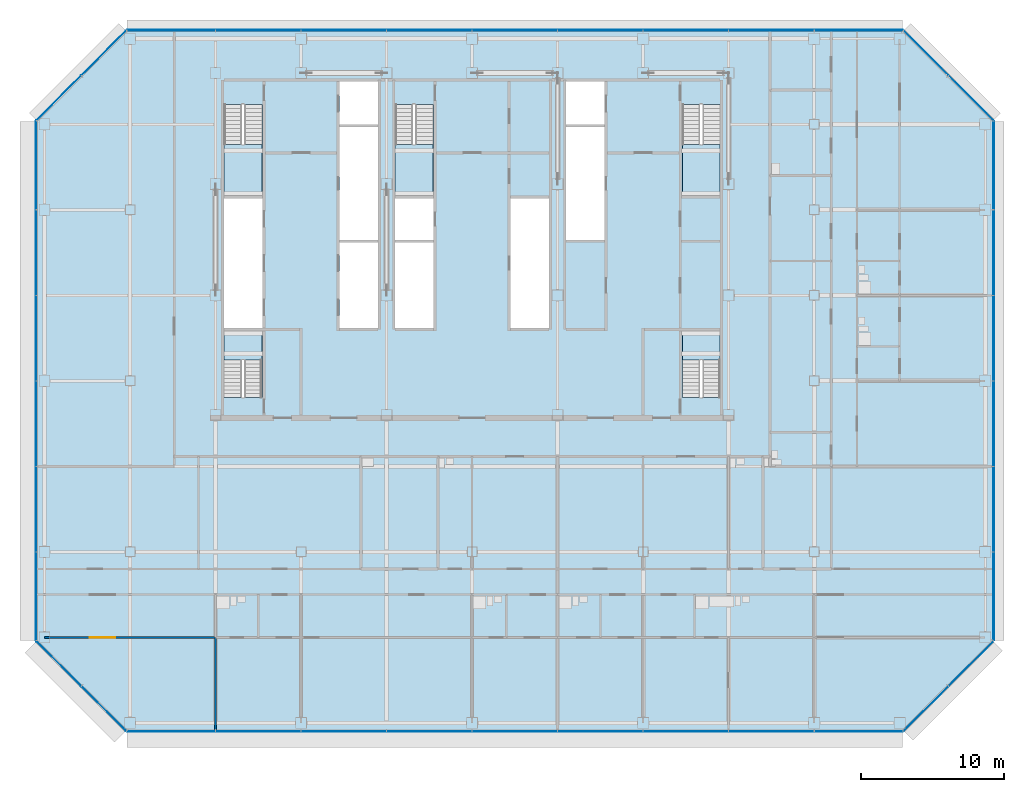
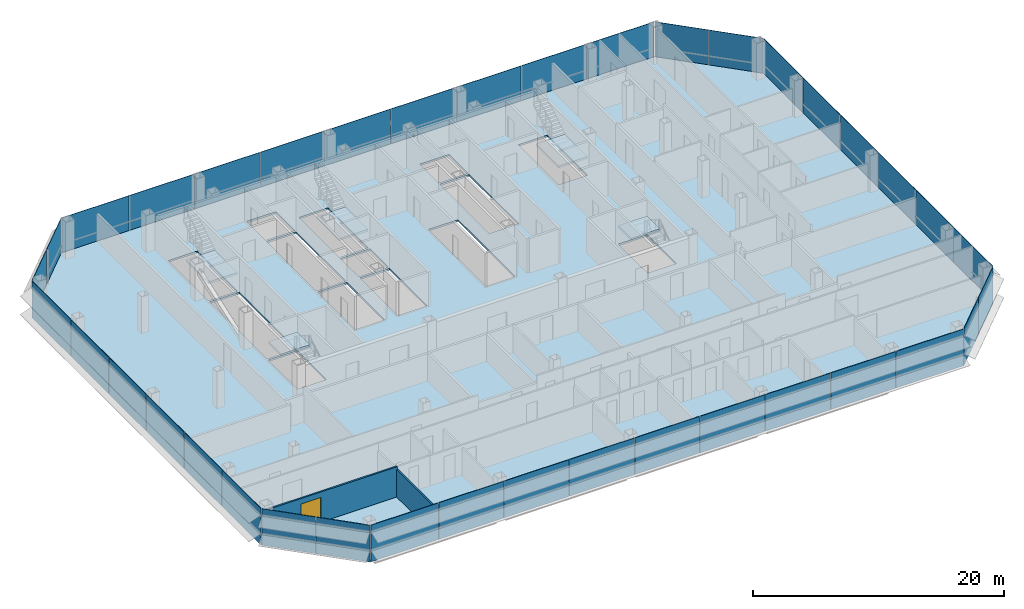
# One storey, part 18 of 26: 38 plates, 6 slabs, 2 walls, 1 door, 1 opening, 13 elements without a shape of their own.
"""IFC4 building model written with IfcOpenShell, lengths in metres."""

import ifcopenshell
import ifcopenshell.guid

model = None  # the IFC model being written
_history = None  # IfcOwnerHistory: only IFC2X3 demands one
_inside = {}  # id of a spatial element -> (the spatial element, [elements in it])
_under = {}  # id of a project, library or spatial element -> (it, [spatial elements below it])
_declared = {}  # id of a project -> (the project, [libraries it declares])
_typed = {}  # id of a type object -> (the type object, [elements of that type])
_made_of = {}  # id of a material, layer set ... -> (it, [elements and type objects made of it])


def new_model(schema):
    """Start an empty IFC model of exactly this schema.

    Asked for "IFC4X3", IfcOpenShell would pick the latest addendum, in which some entities
    have other attributes; the version numbers below select the first issue.
    IFC2X3 requires an IfcOwnerHistory on every rooted entity: one is made here for all.
    """
    global model, _history
    if schema == "IFC4X3":
        model = ifcopenshell.file(schema_version=(4, 3, 0, 0))
    else:
        model = ifcopenshell.file(schema=schema)
    _inside.clear()
    _under.clear()
    _declared.clear()
    _typed.clear()
    _made_of.clear()
    _history = None
    if model.schema == "IFC2X3":
        org = make("IfcOrganization", Name="unknown")
        user = make(
            "IfcPersonAndOrganization",
            ThePerson=make("IfcPerson", FamilyName="unknown"),
            TheOrganization=org,
        )
        app = make(
            "IfcApplication",
            ApplicationDeveloper=org,
            Version="unknown",
            ApplicationFullName="unknown",
            ApplicationIdentifier="unknown",
        )
        _history = make(
            "IfcOwnerHistory",
            OwningUser=user,
            OwningApplication=app,
            ChangeAction="ADDED",
            CreationDate=0,
        )
    return model


def make(cls, **values):
    """One entity of the class cls with the attributes given. An attribute that is None is left unset."""
    return model.create_entity(
        cls, **{name: value for name, value in values.items() if value is not None}
    )


def rooted(cls, **values):
    """An entity with a GlobalId (a new one), such as an element, a storey or a relation."""
    return make(cls, GlobalId=ifcopenshell.guid.new(), OwnerHistory=_history, **values)


def si_unit(unit_type, name, prefix=None):
    """IfcSIUnit, for example si_unit("LENGTHUNIT", "METRE", prefix="MILLI")."""
    return make("IfcSIUnit", UnitType=unit_type, Prefix=prefix, Name=name)


def assignment(units):
    """IfcUnitAssignment: the units of a project."""
    return None if units is None else make("IfcUnitAssignment", Units=units)


def point(xyz):
    """IfcCartesianPoint."""
    return None if xyz is None else make("IfcCartesianPoint", Coordinates=xyz)


def direction(xyz):
    """IfcDirection."""
    return None if xyz is None else make("IfcDirection", DirectionRatios=xyz)


def frame(location, z_axis=None, x_axis=None):
    """IfcAxis2Placement3D, a coordinate frame: its origin and axes. An axis left out is left unset."""
    return make(
        "IfcAxis2Placement3D",
        Location=point(location),
        Axis=direction(z_axis),
        RefDirection=direction(x_axis),
    )


def frame_2d(location, x_axis=None):
    """IfcAxis2Placement2D, a coordinate frame in the plane: its origin and x axis."""
    return make(
        "IfcAxis2Placement2D", Location=point(location), RefDirection=direction(x_axis)
    )


def origin():
    """The frame at (0, 0, 0) with its axes left unset."""
    return frame((0.0, 0.0, 0.0))


def origin_2d():
    """The frame at (0, 0) in the plane with its x axis left unset."""
    return frame_2d((0.0, 0.0))


def place(relative_to, where):
    """IfcLocalPlacement: puts the frame where relative to a parent placement (None: the world)."""
    return make(
        "IfcLocalPlacement", PlacementRelTo=relative_to, RelativePlacement=where
    )


def context(
    kind, dimensions, precision=None, world=None, true_north=None, identifier=None
):
    """IfcGeometricRepresentationContext, for example the 3D "Model" context."""
    return make(
        "IfcGeometricRepresentationContext",
        ContextIdentifier=identifier,
        ContextType=kind,
        CoordinateSpaceDimension=dimensions,
        Precision=precision,
        WorldCoordinateSystem=world,
        TrueNorth=true_north,
    )


def subcontext(parent, identifier, kind, view, scale=None):
    """IfcGeometricRepresentationSubContext, for example "Body" below "Model"."""
    return make(
        "IfcGeometricRepresentationSubContext",
        ContextIdentifier=identifier,
        ContextType=kind,
        ParentContext=parent,
        TargetScale=scale,
        TargetView=view,
    )


def project(units=None, contexts=None):
    """IfcProject with its units and contexts."""
    return rooted(
        "IfcProject",
        Name="project",
        RepresentationContexts=contexts,
        UnitsInContext=assignment(units),
    )


def spatial(cls, under=None, at=None, **own):
    """A site, building, storey or space (cls), placed at a placement, below another one or the project."""
    s = rooted(cls, ObjectPlacement=at, **own)
    if under is not None:
        _under.setdefault(under.id(), (under, []))[1].append(s)
    return s


def polyline(points):
    """IfcPolyline through the points."""
    return make("IfcPolyline", Points=[point(p) for p in points])


def profile(cls, at=None, kind="AREA", **sizes):
    """A parametric profile (cls). Its sizes go by their IFC names, for example OverallWidth=200.0."""
    return make(cls, ProfileType=kind, Position=at, **sizes)


def rectangle(**sizes):
    """IfcRectangleProfileDef."""
    return profile("IfcRectangleProfileDef", **sizes)


def outline(outer, holes=None, kind="AREA"):
    """IfcArbitraryClosedProfileDef: a profile drawn as a closed curve; with holes, ...WithVoids."""
    if holes is None:
        return make("IfcArbitraryClosedProfileDef", ProfileType=kind, OuterCurve=outer)
    return make(
        "IfcArbitraryProfileDefWithVoids",
        ProfileType=kind,
        OuterCurve=outer,
        InnerCurves=holes,
    )


def extrude(swept, where, along, depth):
    """IfcExtrudedAreaSolid: the profile swept, set in the frame where, extruded along a direction by depth."""
    return make(
        "IfcExtrudedAreaSolid",
        SweptArea=swept,
        Position=where,
        ExtrudedDirection=direction(along),
        Depth=depth,
    )


def shape(context_of_items, identifier, shape_type, items):
    """IfcShapeRepresentation: the items that make up one representation, for example the "Body"."""
    return make(
        "IfcShapeRepresentation",
        ContextOfItems=context_of_items,
        RepresentationIdentifier=identifier,
        RepresentationType=shape_type,
        Items=items,
    )


def material(Name=None, Category=None):
    """IfcMaterial."""
    return make("IfcMaterial", Name=Name, Category=Category)


def layer(
    of_material, thickness, ventilated=None, Name=None, Category=None, Priority=None
):
    """IfcMaterialLayer: one layer of a wall or slab, of a material (None: an air gap)."""
    return make(
        "IfcMaterialLayer",
        Material=of_material,
        LayerThickness=thickness,
        IsVentilated=ventilated,
        Name=Name,
        Category=Category,
        Priority=Priority,
    )


def layer_set(layers, Name=None):
    """IfcMaterialLayerSet."""
    return make("IfcMaterialLayerSet", MaterialLayers=layers, LayerSetName=Name)


def made_of(thing, what):
    """Note that an element or type object is made of a material, layer set ...; save() writes the relation."""
    if what is not None:
        _made_of.setdefault(what.id(), (what, []))[1].append(thing)
    return thing


def type_object(cls, material=None, **own):
    """A type object (cls), such as IfcWallType, which elements share."""
    return made_of(rooted(cls, **own), material)


def element(
    cls,
    number,
    at=None,
    inside=None,
    cuts=None,
    type_object=None,
    material=None,
    context=None,
    identifier="Body",
    shape_type=None,
    held_by="IfcProductDefinitionShape",
    body=None,
    shapes=None,
    **own,
):
    """One element of the class cls, such as IfcWall. Its Tag is "e" and its number.

    at: its placement. inside: the storey or other place that contains it. cuts: it is an
    opening in that element (IfcRelVoidsElement). A single representation is given by context,
    identifier, shape_type and body (its items); several are given by shapes. held_by: the class
    of the entity that holds the representations. save() writes the other relations.
    """
    e = rooted(cls, Tag="e%d" % number, ObjectPlacement=at, **own)
    if body is not None:
        shapes = [shape(context, identifier, shape_type, body)]
    if shapes is not None:
        e.Representation = make(held_by, Representations=shapes)
    if inside is not None:
        _inside.setdefault(inside.id(), (inside, []))[1].append(e)
    if cuts is not None:
        rooted(
            "IfcRelVoidsElement", RelatingBuildingElement=cuts, RelatedOpeningElement=e
        )
    if type_object is not None:
        _typed.setdefault(type_object.id(), (type_object, []))[1].append(e)
    return made_of(e, material)


def fill(opening, filler):
    """IfcRelFillsElement: the door or window that sits in an opening."""
    return rooted(
        "IfcRelFillsElement",
        RelatingOpeningElement=opening,
        RelatedBuildingElement=filler,
    )


def aggregate(whole, parts):
    """IfcRelAggregates: a whole, such as a stair, and the parts it consists of."""
    return rooted("IfcRelAggregates", RelatingObject=whole, RelatedObjects=parts)


def save(model, path):
    """Write the relations noted so far, then the file.

    IfcRelAggregates (storeys below a building ...), IfcRelContainedInSpatialStructure (elements
    in a storey), IfcRelDefinesByType, IfcRelAssociatesMaterial and IfcRelDeclares: one each for
    every whole, place, type object, material and project.
    """
    for whole, parts in _under.values():
        aggregate(whole, parts)
    for where, things in _inside.values():
        rooted(
            "IfcRelContainedInSpatialStructure",
            RelatedElements=things,
            RelatingStructure=where,
        )
    for kind, things in _typed.values():
        rooted("IfcRelDefinesByType", RelatedObjects=things, RelatingType=kind)
    for what, things in _made_of.values():
        rooted("IfcRelAssociatesMaterial", RelatedObjects=things, RelatingMaterial=what)
    for by, libraries in _declared.values():
        rooted("IfcRelDeclares", RelatingContext=by, RelatedDefinitions=libraries)
    model.write(path)


model = new_model("IFC4")

# Units and contexts
model_context = context("Model", 3, precision=1e-05, world=origin(), true_north=direction((0.0, 1.0)))
body_context = subcontext(model_context, "Body", "Model", "MODEL_VIEW")
ifc_project = project(units=[si_unit("LENGTHUNIT", "METRE"), si_unit("AREAUNIT", "SQUARE_METRE"), si_unit("VOLUMEUNIT", "CUBIC_METRE"), si_unit("PLANEANGLEUNIT", "RADIAN"), si_unit("MASSUNIT", "GRAM", prefix="KILO")], contexts=[model_context])

# Site, building, storey
site_placement = place(None, origin())
site = spatial("IfcSite", under=ifc_project, at=site_placement, CompositionType="ELEMENT")
building_placement = place(site_placement, origin())
building = spatial("IfcBuilding", under=site, at=building_placement, Name="Sorahane Residences", CompositionType="ELEMENT")
storey_placement = place(building_placement, frame((0.0, 0.0, 110.60009765625)))
storey = spatial("IfcBuildingStorey", under=building, at=storey_placement, Name="L24", CompositionType="ELEMENT", Elevation=110.60009765625)

# Slab
ifc_material_1 = material(Name="Concrete C35", Category="concrete")
ifc_layer_1 = layer(ifc_material_1, 0.179931640625)
ifc_layer_set_1 = layer_set([ifc_layer_1], Name="Composite floor slab 180 mm Concrete C35")
slab_type_1 = type_object("IfcSlabType", Name="Composite floor slab 180 mm Concrete C35", PredefinedType="FLOOR", material=ifc_layer_set_1)
slab_1_placement = place(storey_placement, frame((0.0, 0.0, -0.18017578125)))
element("IfcSlab", 1, at=slab_1_placement, inside=storey, type_object=slab_type_1, Name="Slab L24", PredefinedType="FLOOR", context=body_context, shape_type="SweptSolid", body=[
    extrude(outline(polyline([(-0.24853515625, -0.60009765625), (-6.60009765625, 5.75146484375), (-6.60009765625, 42.24853515625), (-0.24853515625, 48.60009765625), (54.24853515625, 48.60009765625), (60.60009765625, 42.24853515625), (60.60009765625, 5.75146484375), (54.24853515625, -0.60009765625), (-0.24853515625, -0.60009765625)]), holes=[polyline([(18.60009765625, 27.699951171875), (21.300048828125, 27.699951171875), (21.300048828125, 33.699951171875), (18.60009765625, 33.699951171875), (18.60009765625, 27.699951171875)]), polyline([(30.60009765625, 42.0), (33.300048828125, 42.0), (33.300048828125, 45.0), (30.60009765625, 45.0), (30.60009765625, 42.0)]), polyline([(14.699951171875, 27.699951171875), (17.39990234375, 27.699951171875), (17.39990234375, 33.699951171875), (14.699951171875, 33.699951171875), (14.699951171875, 27.699951171875)]), polyline([(14.699951171875, 42.0), (17.39990234375, 42.0), (17.39990234375, 45.0), (14.699951171875, 45.0), (14.699951171875, 42.0)]), polyline([(6.60009765625, 27.699951171875), (9.300048828125, 27.699951171875), (9.300048828125, 36.800048828125), (6.60009765625, 36.800048828125), (6.60009765625, 27.699951171875)]), polyline([(6.60009765625, 43.39990234375), (6.60009765625, 37.0), (9.25, 37.0), (9.25, 43.39990234375), (6.60009765625, 43.39990234375)]), polyline([(38.75, 43.39990234375), (38.75, 37.0), (41.39990234375, 37.0), (41.39990234375, 43.39990234375), (38.75, 43.39990234375)]), polyline([(18.60009765625, 43.39990234375), (18.60009765625, 37.0), (21.25, 37.0), (21.25, 43.39990234375), (18.60009765625, 43.39990234375)]), polyline([(9.25, 22.85009765625), (9.25, 27.5), (6.60009765625, 27.5), (6.60009765625, 22.85009765625), (9.25, 22.85009765625)]), polyline([(41.39990234375, 22.85009765625), (41.39990234375, 27.5), (38.75, 27.5), (38.75, 22.85009765625), (41.39990234375, 22.85009765625)]), polyline([(14.699951171875, 33.89990234375), (17.39990234375, 33.89990234375), (17.39990234375, 41.800048828125), (14.699951171875, 41.800048828125), (14.699951171875, 33.89990234375)]), polyline([(30.60009765625, 33.89990234375), (33.300048828125, 33.89990234375), (33.300048828125, 41.800048828125), (30.60009765625, 41.800048828125), (30.60009765625, 33.89990234375)]), polyline([(18.60009765625, 33.89990234375), (21.300048828125, 33.89990234375), (21.300048828125, 36.800048828125), (18.60009765625, 36.800048828125), (18.60009765625, 33.89990234375)]), polyline([(26.699951171875, 27.699951171875), (29.39990234375, 27.699951171875), (29.39990234375, 36.800048828125), (26.699951171875, 36.800048828125), (26.699951171875, 27.699951171875)])]), origin(), (0.0, 0.0, 1.0), 0.18017578125),
])

# Curtain wall, plates
ifc_material_2 = material(Name="Dark low-e glass and black anodised aluminium", Category="aluminium")
curtain_wall_type_1 = type_object("IfcCurtainWallType", Name="Curtain wall CW-1 Typical unitised wall", PredefinedType="NOTDEFINED", material=ifc_material_2)
curtain_wall_1_placement = place(storey_placement, origin())
curtain_wall_1 = element("IfcCurtainWall", 2, at=curtain_wall_1_placement, inside=storey, type_object=curtain_wall_type_1, Name="CW-1 curtain wall L24 S1", PredefinedType="NOTDEFINED")
ifc_material_3 = material(Name="Dark low-e glass with black ceramic frit", Category="glass")
ifc_layer_2 = layer(ifc_material_3, 0.0400390625)
ifc_layer_set_2 = layer_set([ifc_layer_2], Name="Curtain wall glass panel dark low-e with black frit spandrel band")
plate_type = type_object("IfcPlateType", Name="Curtain wall glass panel dark low-e with black frit spandrel band", PredefinedType="CURTAIN_PANEL", material=ifc_layer_set_2)
plate_1_placement = place(storey_placement, frame((2.88818359375, -0.60009765625, -0.18017578125), z_axis=(0.0, 0.0, 1.0), x_axis=(1.0, 0.0, 0.0)))
plate_1 = element("IfcPlate", 3, at=plate_1_placement, type_object=plate_type, Name="CW-1 glass panel L24 S1.1", PredefinedType="CURTAIN_PANEL", context=body_context, shape_type="SweptSolid", body=[
    extrude(rectangle(XDim=6.173583984375, YDim=0.0400390625, at=origin_2d()), origin(), (0.0, 0.0, 1.0), 3.56005859375),
])
plate_2_placement = place(storey_placement, frame((9.0, -0.60009765625, -0.18017578125), z_axis=(0.0, 0.0, 1.0), x_axis=(1.0, 0.0, 0.0)))
plate_2 = element("IfcPlate", 4, at=plate_2_placement, type_object=plate_type, Name="CW-1 glass panel L24 S1.2", PredefinedType="CURTAIN_PANEL", context=body_context, shape_type="SweptSolid", body=[
    extrude(rectangle(XDim=5.949951171875, YDim=0.0400390625, at=origin_2d()), origin(), (0.0, 0.0, 1.0), 3.56005859375),
])
plate_3_placement = place(storey_placement, frame((15.0, -0.60009765625, -0.18017578125), z_axis=(0.0, 0.0, 1.0), x_axis=(1.0, 0.0, 0.0)))
plate_3 = element("IfcPlate", 5, at=plate_3_placement, type_object=plate_type, Name="CW-1 glass panel L24 S1.3", PredefinedType="CURTAIN_PANEL", context=body_context, shape_type="SweptSolid", body=[
    extrude(rectangle(XDim=5.949951171875, YDim=0.0400390625, at=origin_2d()), origin(), (0.0, 0.0, 1.0), 3.56005859375),
])
plate_4_placement = place(storey_placement, frame((21.0, -0.60009765625, -0.18017578125), z_axis=(0.0, 0.0, 1.0), x_axis=(1.0, 0.0, 0.0)))
plate_4 = element("IfcPlate", 6, at=plate_4_placement, type_object=plate_type, Name="CW-1 glass panel L24 S1.4", PredefinedType="CURTAIN_PANEL", context=body_context, shape_type="SweptSolid", body=[
    extrude(rectangle(XDim=5.949951171875, YDim=0.0400390625, at=origin_2d()), origin(), (0.0, 0.0, 1.0), 3.56005859375),
])
plate_5_placement = place(storey_placement, frame((27.0, -0.60009765625, -0.18017578125), z_axis=(0.0, 0.0, 1.0), x_axis=(1.0, 0.0, 0.0)))
plate_5 = element("IfcPlate", 7, at=plate_5_placement, type_object=plate_type, Name="CW-1 glass panel L24 S1.5", PredefinedType="CURTAIN_PANEL", context=body_context, shape_type="SweptSolid", body=[
    extrude(rectangle(XDim=5.949951171875, YDim=0.0400390625, at=origin_2d()), origin(), (0.0, 0.0, 1.0), 3.56005859375),
])
plate_6_placement = place(storey_placement, frame((33.0, -0.60009765625, -0.18017578125), z_axis=(0.0, 0.0, 1.0), x_axis=(1.0, 0.0, 0.0)))
plate_6 = element("IfcPlate", 8, at=plate_6_placement, type_object=plate_type, Name="CW-1 glass panel L24 S1.6", PredefinedType="CURTAIN_PANEL", context=body_context, shape_type="SweptSolid", body=[
    extrude(rectangle(XDim=5.949951171875, YDim=0.0400390625, at=origin_2d()), origin(), (0.0, 0.0, 1.0), 3.56005859375),
])
plate_7_placement = place(storey_placement, frame((39.0, -0.60009765625, -0.18017578125), z_axis=(0.0, 0.0, 1.0), x_axis=(1.0, 0.0, 0.0)))
plate_7 = element("IfcPlate", 9, at=plate_7_placement, type_object=plate_type, Name="CW-1 glass panel L24 S1.7", PredefinedType="CURTAIN_PANEL", context=body_context, shape_type="SweptSolid", body=[
    extrude(rectangle(XDim=5.949951171875, YDim=0.0400390625, at=origin_2d()), origin(), (0.0, 0.0, 1.0), 3.56005859375),
])
plate_8_placement = place(storey_placement, frame((45.0, -0.60009765625, -0.18017578125), z_axis=(0.0, 0.0, 1.0), x_axis=(1.0, 0.0, 0.0)))
plate_8 = element("IfcPlate", 10, at=plate_8_placement, type_object=plate_type, Name="CW-1 glass panel L24 S1.8", PredefinedType="CURTAIN_PANEL", context=body_context, shape_type="SweptSolid", body=[
    extrude(rectangle(XDim=5.949951171875, YDim=0.0400390625, at=origin_2d()), origin(), (0.0, 0.0, 1.0), 3.56005859375),
])
plate_9_placement = place(storey_placement, frame((51.11181640625, -0.60009765625, -0.18017578125), z_axis=(0.0, 0.0, 1.0), x_axis=(1.0, 0.0, 0.0)))
plate_9 = element("IfcPlate", 11, at=plate_9_placement, type_object=plate_type, Name="CW-1 glass panel L24 S1.9", PredefinedType="CURTAIN_PANEL", context=body_context, shape_type="SweptSolid", body=[
    extrude(rectangle(XDim=6.173583984375, YDim=0.0400390625, at=origin_2d()), origin(), (0.0, 0.0, 1.0), 3.56005859375),
])
aggregate(curtain_wall_1, [plate_1, plate_2, plate_3, plate_4, plate_5, plate_6, plate_7, plate_8, plate_9])

ifc_material_4 = material(Name="Dark low-e glass and black anodised aluminium", Category="aluminium")
curtain_wall_type_2 = type_object("IfcCurtainWallType", Name="Curtain wall CW-2 Chamfer unitised wall", PredefinedType="NOTDEFINED", material=ifc_material_4)
curtain_wall_2_placement = place(storey_placement, origin())
curtain_wall_2 = element("IfcCurtainWall", 12, at=curtain_wall_2_placement, inside=storey, type_object=curtain_wall_type_2, Name="CW-2 curtain wall L24 SE1", PredefinedType="NOTDEFINED")
plate_10_placement = place(storey_placement, frame((55.84521484375, 0.996826171875, -0.18017578125), z_axis=(0.0, 0.0, 1.0), x_axis=(0.707106781187, 0.707106781187, 0.0)))
plate_10 = element("IfcPlate", 13, at=plate_10_placement, type_object=plate_type, Name="CW-2 glass panel L24 SE1.1", PredefinedType="CURTAIN_PANEL", context=body_context, shape_type="SweptSolid", body=[
    extrude(rectangle(XDim=4.416259765625, YDim=0.0400390625, at=origin_2d()), origin(), (0.0, 0.0, 1.0), 3.56005859375),
])
plate_11_placement = place(storey_placement, frame((59.003173828125, 4.15478515625, -0.18017578125), z_axis=(0.0, 0.0, 1.0), x_axis=(0.707106781187, 0.707106781187, 0.0)))
plate_11 = element("IfcPlate", 14, at=plate_11_placement, type_object=plate_type, Name="CW-2 glass panel L24 SE1.2", PredefinedType="CURTAIN_PANEL", context=body_context, shape_type="SweptSolid", body=[
    extrude(rectangle(XDim=4.416259765625, YDim=0.0400390625, at=origin_2d()), origin(), (0.0, 0.0, 1.0), 3.56005859375),
])
aggregate(curtain_wall_2, [plate_10, plate_11])

curtain_wall_3_placement = place(storey_placement, origin())
curtain_wall_3 = element("IfcCurtainWall", 15, at=curtain_wall_3_placement, inside=storey, type_object=curtain_wall_type_1, Name="CW-1 curtain wall L24 E1", PredefinedType="NOTDEFINED")
plate_12_placement = place(storey_placement, frame((60.60009765625, 8.88818359375, -0.18017578125), z_axis=(0.0, 0.0, 1.0), x_axis=(0.0, 1.0, 0.0)))
plate_12 = element("IfcPlate", 16, at=plate_12_placement, type_object=plate_type, Name="CW-1 glass panel L24 E1.1", PredefinedType="CURTAIN_PANEL", context=body_context, shape_type="SweptSolid", body=[
    extrude(rectangle(XDim=6.173583984375, YDim=0.0400390625, at=origin_2d()), origin(), (0.0, 0.0, 1.0), 3.56005859375),
])
plate_13_placement = place(storey_placement, frame((60.60009765625, 15.0, -0.18017578125), z_axis=(0.0, 0.0, 1.0), x_axis=(0.0, 1.0, 0.0)))
plate_13 = element("IfcPlate", 17, at=plate_13_placement, type_object=plate_type, Name="CW-1 glass panel L24 E1.2", PredefinedType="CURTAIN_PANEL", context=body_context, shape_type="SweptSolid", body=[
    extrude(rectangle(XDim=5.949951171875, YDim=0.0400390625, at=origin_2d()), origin(), (0.0, 0.0, 1.0), 3.56005859375),
])
plate_14_placement = place(storey_placement, frame((60.60009765625, 21.0, -0.18017578125), z_axis=(0.0, 0.0, 1.0), x_axis=(0.0, 1.0, 0.0)))
plate_14 = element("IfcPlate", 18, at=plate_14_placement, type_object=plate_type, Name="CW-1 glass panel L24 E1.3", PredefinedType="CURTAIN_PANEL", context=body_context, shape_type="SweptSolid", body=[
    extrude(rectangle(XDim=5.949951171875, YDim=0.0400390625, at=origin_2d()), origin(), (0.0, 0.0, 1.0), 3.56005859375),
])
plate_15_placement = place(storey_placement, frame((60.60009765625, 27.0, -0.18017578125), z_axis=(0.0, 0.0, 1.0), x_axis=(0.0, 1.0, 0.0)))
plate_15 = element("IfcPlate", 19, at=plate_15_placement, type_object=plate_type, Name="CW-1 glass panel L24 E1.4", PredefinedType="CURTAIN_PANEL", context=body_context, shape_type="SweptSolid", body=[
    extrude(rectangle(XDim=5.949951171875, YDim=0.0400390625, at=origin_2d()), origin(), (0.0, 0.0, 1.0), 3.56005859375),
])
plate_16_placement = place(storey_placement, frame((60.60009765625, 33.0, -0.18017578125), z_axis=(0.0, 0.0, 1.0), x_axis=(0.0, 1.0, 0.0)))
plate_16 = element("IfcPlate", 20, at=plate_16_placement, type_object=plate_type, Name="CW-1 glass panel L24 E1.5", PredefinedType="CURTAIN_PANEL", context=body_context, shape_type="SweptSolid", body=[
    extrude(rectangle(XDim=5.949951171875, YDim=0.0400390625, at=origin_2d()), origin(), (0.0, 0.0, 1.0), 3.56005859375),
])
plate_17_placement = place(storey_placement, frame((60.60009765625, 39.11181640625, -0.18017578125), z_axis=(0.0, 0.0, 1.0), x_axis=(0.0, 1.0, 0.0)))
plate_17 = element("IfcPlate", 21, at=plate_17_placement, type_object=plate_type, Name="CW-1 glass panel L24 E1.6", PredefinedType="CURTAIN_PANEL", context=body_context, shape_type="SweptSolid", body=[
    extrude(rectangle(XDim=6.173583984375, YDim=0.0400390625, at=origin_2d()), origin(), (0.0, 0.0, 1.0), 3.56005859375),
])
aggregate(curtain_wall_3, [plate_12, plate_13, plate_14, plate_15, plate_16, plate_17])

curtain_wall_4_placement = place(storey_placement, origin())
curtain_wall_4 = element("IfcCurtainWall", 22, at=curtain_wall_4_placement, inside=storey, type_object=curtain_wall_type_2, Name="CW-2 curtain wall L24 NE1", PredefinedType="NOTDEFINED")
plate_18_placement = place(storey_placement, frame((59.003173828125, 43.84521484375, -0.18017578125), z_axis=(0.0, 0.0, 1.0), x_axis=(-0.707106781187, 0.707106781187, 0.0)))
plate_18 = element("IfcPlate", 23, at=plate_18_placement, type_object=plate_type, Name="CW-2 glass panel L24 NE1.1", PredefinedType="CURTAIN_PANEL", context=body_context, shape_type="SweptSolid", body=[
    extrude(rectangle(XDim=4.416259765625, YDim=0.0400390625, at=origin_2d()), origin(), (0.0, 0.0, 1.0), 3.56005859375),
])
plate_19_placement = place(storey_placement, frame((55.84521484375, 47.003173828125, -0.18017578125), z_axis=(0.0, 0.0, 1.0), x_axis=(-0.707106781187, 0.707106781187, 0.0)))
plate_19 = element("IfcPlate", 24, at=plate_19_placement, type_object=plate_type, Name="CW-2 glass panel L24 NE1.2", PredefinedType="CURTAIN_PANEL", context=body_context, shape_type="SweptSolid", body=[
    extrude(rectangle(XDim=4.416259765625, YDim=0.0400390625, at=origin_2d()), origin(), (0.0, 0.0, 1.0), 3.56005859375),
])
aggregate(curtain_wall_4, [plate_18, plate_19])

curtain_wall_5_placement = place(storey_placement, origin())
curtain_wall_5 = element("IfcCurtainWall", 25, at=curtain_wall_5_placement, inside=storey, type_object=curtain_wall_type_1, Name="CW-1 curtain wall L24 N1", PredefinedType="NOTDEFINED")
plate_20_placement = place(storey_placement, frame((51.11181640625, 48.60009765625, -0.18017578125), z_axis=(0.0, 0.0, 1.0), x_axis=(-1.0, 0.0, 0.0)))
plate_20 = element("IfcPlate", 26, at=plate_20_placement, type_object=plate_type, Name="CW-1 glass panel L24 N1.1", PredefinedType="CURTAIN_PANEL", context=body_context, shape_type="SweptSolid", body=[
    extrude(rectangle(XDim=6.173583984375, YDim=0.0400390625, at=origin_2d()), origin(), (0.0, 0.0, 1.0), 3.56005859375),
])
plate_21_placement = place(storey_placement, frame((45.0, 48.60009765625, -0.18017578125), z_axis=(0.0, 0.0, 1.0), x_axis=(-1.0, 0.0, 0.0)))
plate_21 = element("IfcPlate", 27, at=plate_21_placement, type_object=plate_type, Name="CW-1 glass panel L24 N1.2", PredefinedType="CURTAIN_PANEL", context=body_context, shape_type="SweptSolid", body=[
    extrude(rectangle(XDim=5.949951171875, YDim=0.0400390625, at=origin_2d()), origin(), (0.0, 0.0, 1.0), 3.56005859375),
])
plate_22_placement = place(storey_placement, frame((39.0, 48.60009765625, -0.18017578125), z_axis=(0.0, 0.0, 1.0), x_axis=(-1.0, 0.0, 0.0)))
plate_22 = element("IfcPlate", 28, at=plate_22_placement, type_object=plate_type, Name="CW-1 glass panel L24 N1.3", PredefinedType="CURTAIN_PANEL", context=body_context, shape_type="SweptSolid", body=[
    extrude(rectangle(XDim=5.949951171875, YDim=0.0400390625, at=origin_2d()), origin(), (0.0, 0.0, 1.0), 3.56005859375),
])
plate_23_placement = place(storey_placement, frame((33.0, 48.60009765625, -0.18017578125), z_axis=(0.0, 0.0, 1.0), x_axis=(-1.0, 0.0, 0.0)))
plate_23 = element("IfcPlate", 29, at=plate_23_placement, type_object=plate_type, Name="CW-1 glass panel L24 N1.4", PredefinedType="CURTAIN_PANEL", context=body_context, shape_type="SweptSolid", body=[
    extrude(rectangle(XDim=5.949951171875, YDim=0.0400390625, at=origin_2d()), origin(), (0.0, 0.0, 1.0), 3.56005859375),
])
plate_24_placement = place(storey_placement, frame((27.0, 48.60009765625, -0.18017578125), z_axis=(0.0, 0.0, 1.0), x_axis=(-1.0, 0.0, 0.0)))
plate_24 = element("IfcPlate", 30, at=plate_24_placement, type_object=plate_type, Name="CW-1 glass panel L24 N1.5", PredefinedType="CURTAIN_PANEL", context=body_context, shape_type="SweptSolid", body=[
    extrude(rectangle(XDim=5.949951171875, YDim=0.0400390625, at=origin_2d()), origin(), (0.0, 0.0, 1.0), 3.56005859375),
])
plate_25_placement = place(storey_placement, frame((21.0, 48.60009765625, -0.18017578125), z_axis=(0.0, 0.0, 1.0), x_axis=(-1.0, 0.0, 0.0)))
plate_25 = element("IfcPlate", 31, at=plate_25_placement, type_object=plate_type, Name="CW-1 glass panel L24 N1.6", PredefinedType="CURTAIN_PANEL", context=body_context, shape_type="SweptSolid", body=[
    extrude(rectangle(XDim=5.949951171875, YDim=0.0400390625, at=origin_2d()), origin(), (0.0, 0.0, 1.0), 3.56005859375),
])
plate_26_placement = place(storey_placement, frame((15.0, 48.60009765625, -0.18017578125), z_axis=(0.0, 0.0, 1.0), x_axis=(-1.0, 0.0, 0.0)))
plate_26 = element("IfcPlate", 32, at=plate_26_placement, type_object=plate_type, Name="CW-1 glass panel L24 N1.7", PredefinedType="CURTAIN_PANEL", context=body_context, shape_type="SweptSolid", body=[
    extrude(rectangle(XDim=5.949951171875, YDim=0.0400390625, at=origin_2d()), origin(), (0.0, 0.0, 1.0), 3.56005859375),
])
plate_27_placement = place(storey_placement, frame((9.0, 48.60009765625, -0.18017578125), z_axis=(0.0, 0.0, 1.0), x_axis=(-1.0, 0.0, 0.0)))
plate_27 = element("IfcPlate", 33, at=plate_27_placement, type_object=plate_type, Name="CW-1 glass panel L24 N1.8", PredefinedType="CURTAIN_PANEL", context=body_context, shape_type="SweptSolid", body=[
    extrude(rectangle(XDim=5.949951171875, YDim=0.0400390625, at=origin_2d()), origin(), (0.0, 0.0, 1.0), 3.56005859375),
])
plate_28_placement = place(storey_placement, frame((2.88818359375, 48.60009765625, -0.18017578125), z_axis=(0.0, 0.0, 1.0), x_axis=(-1.0, 0.0, 0.0)))
plate_28 = element("IfcPlate", 34, at=plate_28_placement, type_object=plate_type, Name="CW-1 glass panel L24 N1.9", PredefinedType="CURTAIN_PANEL", context=body_context, shape_type="SweptSolid", body=[
    extrude(rectangle(XDim=6.173583984375, YDim=0.0400390625, at=origin_2d()), origin(), (0.0, 0.0, 1.0), 3.56005859375),
])
aggregate(curtain_wall_5, [plate_20, plate_21, plate_22, plate_23, plate_24, plate_25, plate_26, plate_27, plate_28])

curtain_wall_6_placement = place(storey_placement, origin())
curtain_wall_6 = element("IfcCurtainWall", 35, at=curtain_wall_6_placement, inside=storey, type_object=curtain_wall_type_2, Name="CW-2 curtain wall L24 NW1", PredefinedType="NOTDEFINED")
plate_29_placement = place(storey_placement, frame((-1.84521484375, 47.003173828125, -0.18017578125), z_axis=(0.0, 0.0, 1.0), x_axis=(-0.707106781187, -0.707106781187, 0.0)))
plate_29 = element("IfcPlate", 36, at=plate_29_placement, type_object=plate_type, Name="CW-2 glass panel L24 NW1.1", PredefinedType="CURTAIN_PANEL", context=body_context, shape_type="SweptSolid", body=[
    extrude(rectangle(XDim=4.416259765625, YDim=0.0400390625, at=origin_2d()), origin(), (0.0, 0.0, 1.0), 3.56005859375),
])
plate_30_placement = place(storey_placement, frame((-5.003173828125, 43.84521484375, -0.18017578125), z_axis=(0.0, 0.0, 1.0), x_axis=(-0.707106781187, -0.707106781187, 0.0)))
plate_30 = element("IfcPlate", 37, at=plate_30_placement, type_object=plate_type, Name="CW-2 glass panel L24 NW1.2", PredefinedType="CURTAIN_PANEL", context=body_context, shape_type="SweptSolid", body=[
    extrude(rectangle(XDim=4.416259765625, YDim=0.0400390625, at=origin_2d()), origin(), (0.0, 0.0, 1.0), 3.56005859375),
])
aggregate(curtain_wall_6, [plate_29, plate_30])

curtain_wall_7_placement = place(storey_placement, origin())
curtain_wall_7 = element("IfcCurtainWall", 38, at=curtain_wall_7_placement, inside=storey, type_object=curtain_wall_type_1, Name="CW-1 curtain wall L24 W1", PredefinedType="NOTDEFINED")
plate_31_placement = place(storey_placement, frame((-6.60009765625, 39.11181640625, -0.18017578125), z_axis=(0.0, 0.0, 1.0), x_axis=(0.0, -1.0, 0.0)))
plate_31 = element("IfcPlate", 39, at=plate_31_placement, type_object=plate_type, Name="CW-1 glass panel L24 W1.1", PredefinedType="CURTAIN_PANEL", context=body_context, shape_type="SweptSolid", body=[
    extrude(rectangle(XDim=6.173583984375, YDim=0.0400390625, at=origin_2d()), origin(), (0.0, 0.0, 1.0), 3.56005859375),
])
plate_32_placement = place(storey_placement, frame((-6.60009765625, 33.0, -0.18017578125), z_axis=(0.0, 0.0, 1.0), x_axis=(0.0, -1.0, 0.0)))
plate_32 = element("IfcPlate", 40, at=plate_32_placement, type_object=plate_type, Name="CW-1 glass panel L24 W1.2", PredefinedType="CURTAIN_PANEL", context=body_context, shape_type="SweptSolid", body=[
    extrude(rectangle(XDim=5.949951171875, YDim=0.0400390625, at=origin_2d()), origin(), (0.0, 0.0, 1.0), 3.56005859375),
])
plate_33_placement = place(storey_placement, frame((-6.60009765625, 27.0, -0.18017578125), z_axis=(0.0, 0.0, 1.0), x_axis=(0.0, -1.0, 0.0)))
plate_33 = element("IfcPlate", 41, at=plate_33_placement, type_object=plate_type, Name="CW-1 glass panel L24 W1.3", PredefinedType="CURTAIN_PANEL", context=body_context, shape_type="SweptSolid", body=[
    extrude(rectangle(XDim=5.949951171875, YDim=0.0400390625, at=origin_2d()), origin(), (0.0, 0.0, 1.0), 3.56005859375),
])
plate_34_placement = place(storey_placement, frame((-6.60009765625, 21.0, -0.18017578125), z_axis=(0.0, 0.0, 1.0), x_axis=(0.0, -1.0, 0.0)))
plate_34 = element("IfcPlate", 42, at=plate_34_placement, type_object=plate_type, Name="CW-1 glass panel L24 W1.4", PredefinedType="CURTAIN_PANEL", context=body_context, shape_type="SweptSolid", body=[
    extrude(rectangle(XDim=5.949951171875, YDim=0.0400390625, at=origin_2d()), origin(), (0.0, 0.0, 1.0), 3.56005859375),
])
plate_35_placement = place(storey_placement, frame((-6.60009765625, 15.0, -0.18017578125), z_axis=(0.0, 0.0, 1.0), x_axis=(0.0, -1.0, 0.0)))
plate_35 = element("IfcPlate", 43, at=plate_35_placement, type_object=plate_type, Name="CW-1 glass panel L24 W1.5", PredefinedType="CURTAIN_PANEL", context=body_context, shape_type="SweptSolid", body=[
    extrude(rectangle(XDim=5.949951171875, YDim=0.0400390625, at=origin_2d()), origin(), (0.0, 0.0, 1.0), 3.56005859375),
])
plate_36_placement = place(storey_placement, frame((-6.60009765625, 8.88818359375, -0.18017578125), z_axis=(0.0, 0.0, 1.0), x_axis=(0.0, -1.0, 0.0)))
plate_36 = element("IfcPlate", 44, at=plate_36_placement, type_object=plate_type, Name="CW-1 glass panel L24 W1.6", PredefinedType="CURTAIN_PANEL", context=body_context, shape_type="SweptSolid", body=[
    extrude(rectangle(XDim=6.173583984375, YDim=0.0400390625, at=origin_2d()), origin(), (0.0, 0.0, 1.0), 3.56005859375),
])
aggregate(curtain_wall_7, [plate_31, plate_32, plate_33, plate_34, plate_35, plate_36])

curtain_wall_8_placement = place(storey_placement, origin())
curtain_wall_8 = element("IfcCurtainWall", 45, at=curtain_wall_8_placement, inside=storey, type_object=curtain_wall_type_2, Name="CW-2 curtain wall L24 SW1", PredefinedType="NOTDEFINED")
plate_37_placement = place(storey_placement, frame((-5.003173828125, 4.15478515625, -0.18017578125), z_axis=(0.0, 0.0, 1.0), x_axis=(0.707106781187, -0.707106781187, 0.0)))
plate_37 = element("IfcPlate", 46, at=plate_37_placement, type_object=plate_type, Name="CW-2 glass panel L24 SW1.1", PredefinedType="CURTAIN_PANEL", context=body_context, shape_type="SweptSolid", body=[
    extrude(rectangle(XDim=4.416259765625, YDim=0.0400390625, at=origin_2d()), origin(), (0.0, 0.0, 1.0), 3.56005859375),
])
plate_38_placement = place(storey_placement, frame((-1.84521484375, 0.996826171875, -0.18017578125), z_axis=(0.0, 0.0, 1.0), x_axis=(0.707106781187, -0.707106781187, 0.0)))
plate_38 = element("IfcPlate", 47, at=plate_38_placement, type_object=plate_type, Name="CW-2 glass panel L24 SW1.2", PredefinedType="CURTAIN_PANEL", context=body_context, shape_type="SweptSolid", body=[
    extrude(rectangle(XDim=4.416259765625, YDim=0.0400390625, at=origin_2d()), origin(), (0.0, 0.0, 1.0), 3.56005859375),
])
aggregate(curtain_wall_8, [plate_37, plate_38])

# Stair, slab
ifc_material_5 = material(Name="Concrete C40", Category="concrete")
stair_type = type_object("IfcStairType", Name="Dog-leg stair 1250 Concrete C40", PredefinedType="HALF_TURN_STAIR", material=ifc_material_5)
stair_1_placement = place(storey_placement, origin())
stair_1 = element("IfcStair", 48, at=stair_1_placement, inside=storey, type_object=stair_type, Name="L24 Stair S1", PredefinedType="HALF_TURN_STAIR")
ifc_material_6 = material(Name="Concrete C40", Category="concrete")
ifc_layer_3 = layer(ifc_material_6, 0.199951171875)
ifc_layer_set_3 = layer_set([ifc_layer_3], Name="Stair landing 200 Concrete C40")
slab_type_2 = type_object("IfcSlabType", Name="Stair landing 200 Concrete C40", PredefinedType="LANDING", material=ifc_layer_set_3)
slab_2_placement = place(storey_placement, frame((0.0, 0.0, 1.599853515625)))
slab_2 = element("IfcSlab", 49, at=slab_2_placement, type_object=slab_type_2, Name="S1 landing 1", PredefinedType="LANDING", context=body_context, shape_type="SweptSolid", body=[
    extrude(outline(polyline([(6.60009765625, 40.60009765625), (6.60009765625, 37.0), (9.25, 37.0), (9.25, 40.60009765625), (6.60009765625, 40.60009765625)])), origin(), (0.0, 0.0, 1.0), 0.199951171875),
])
aggregate(stair_1, [slab_2])

stair_2_placement = place(storey_placement, origin())
stair_2 = element("IfcStair", 50, at=stair_2_placement, inside=storey, type_object=stair_type, Name="L24 Stair S2", PredefinedType="HALF_TURN_STAIR")
slab_3_placement = place(storey_placement, frame((0.0, 0.0, 1.599853515625)))
slab_3 = element("IfcSlab", 51, at=slab_3_placement, type_object=slab_type_2, Name="S2 landing 1", PredefinedType="LANDING", context=body_context, shape_type="SweptSolid", body=[
    extrude(outline(polyline([(38.75, 40.60009765625), (38.75, 37.0), (41.39990234375, 37.0), (41.39990234375, 40.60009765625), (38.75, 40.60009765625)])), origin(), (0.0, 0.0, 1.0), 0.199951171875),
])
aggregate(stair_2, [slab_3])

stair_3_placement = place(storey_placement, origin())
stair_3 = element("IfcStair", 52, at=stair_3_placement, inside=storey, type_object=stair_type, Name="L24 Stair S3", PredefinedType="HALF_TURN_STAIR")
slab_4_placement = place(storey_placement, frame((0.0, 0.0, 1.599853515625)))
slab_4 = element("IfcSlab", 53, at=slab_4_placement, type_object=slab_type_2, Name="S3 landing 1", PredefinedType="LANDING", context=body_context, shape_type="SweptSolid", body=[
    extrude(outline(polyline([(18.60009765625, 40.60009765625), (18.60009765625, 37.0), (21.25, 37.0), (21.25, 40.60009765625), (18.60009765625, 40.60009765625)])), origin(), (0.0, 0.0, 1.0), 0.199951171875),
])
aggregate(stair_3, [slab_4])

stair_4_placement = place(storey_placement, origin())
stair_4 = element("IfcStair", 54, at=stair_4_placement, inside=storey, type_object=stair_type, Name="L24 Stair S4", PredefinedType="HALF_TURN_STAIR")
slab_5_placement = place(storey_placement, frame((0.0, 0.0, 1.599853515625)))
slab_5 = element("IfcSlab", 55, at=slab_5_placement, type_object=slab_type_2, Name="S4 landing 1", PredefinedType="LANDING", context=body_context, shape_type="SweptSolid", body=[
    extrude(outline(polyline([(9.25, 25.449951171875), (9.25, 27.5), (6.60009765625, 27.5), (6.60009765625, 25.449951171875), (9.25, 25.449951171875)])), origin(), (0.0, 0.0, 1.0), 0.199951171875),
])
aggregate(stair_4, [slab_5])

stair_5_placement = place(storey_placement, origin())
stair_5 = element("IfcStair", 56, at=stair_5_placement, inside=storey, type_object=stair_type, Name="L24 Stair S5", PredefinedType="HALF_TURN_STAIR")
slab_6_placement = place(storey_placement, frame((0.0, 0.0, 1.599853515625)))
slab_6 = element("IfcSlab", 57, at=slab_6_placement, type_object=slab_type_2, Name="S5 landing 1", PredefinedType="LANDING", context=body_context, shape_type="SweptSolid", body=[
    extrude(outline(polyline([(41.39990234375, 25.449951171875), (41.39990234375, 27.5), (38.75, 27.5), (38.75, 25.449951171875), (41.39990234375, 25.449951171875)])), origin(), (0.0, 0.0, 1.0), 0.199951171875),
])
aggregate(stair_5, [slab_6])

# Wall
ifc_material_7 = material(Name="Gypsum board partition on steel studs", Category="steel")
ifc_layer_4 = layer(ifc_material_7, 0.14990234375)
ifc_layer_set_4 = layer_set([ifc_layer_4], Name="Partition 150 EI 90")
wall_type = type_object("IfcWallType", Name="Partition 150 EI 90", PredefinedType="PARTITIONING", material=ifc_layer_set_4)
wall_1_placement = place(storey_placement, frame((6.0, -0.60009765625, 0.0), z_axis=(0.0, 0.0, 1.0), x_axis=(0.0, 1.0, 0.0)))
element("IfcWall", 58, at=wall_1_placement, inside=storey, type_object=wall_type, Name="L24 partition", PredefinedType="PARTITIONING", context=body_context, shape_type="SweptSolid", body=[
    extrude(rectangle(XDim=6.60009765625, YDim=0.14990234375, at=frame_2d((3.300048828125, 0.0))), origin(), (0.0, 0.0, 1.0), 2.679931640625),
])

# Wall, opening, door
wall_2_placement = place(storey_placement, frame((-6.0, 6.0, 0.0), z_axis=(0.0, 0.0, 1.0), x_axis=(1.0, 0.0, 0.0)))
wall_2 = element("IfcWall", 59, at=wall_2_placement, inside=storey, type_object=wall_type, Name="L24 partition", PredefinedType="PARTITIONING", context=body_context, shape_type="SweptSolid", body=[
    extrude(rectangle(XDim=12.0, YDim=0.14990234375, at=frame_2d((6.0, 0.0))), origin(), (0.0, 0.0, 1.0), 2.929931640625),
])
opening_placement = place(wall_2_placement, frame((3.159912109375, 0.0, 0.0)))
opening = element("IfcOpeningElement", 60, at=opening_placement, cuts=wall_2, Name="Opening L24-10", PredefinedType="OPENING", context=body_context, shape_type="SweptSolid", body=[
    extrude(rectangle(XDim=1.800048828125, YDim=2.39990234375, at=frame_2d((0.89990234375, 1.199951171875))), frame((0.0, 0.0849609375, 0.0), z_axis=(0.0, -1.0, 0.0), x_axis=(1.0, 0.0, 0.0)), (0.0, 0.0, 1.0), 0.169921875),
])
ifc_material_8 = material(Name="Timber veneered fire door", Category="wood")
door_type = type_object("IfcDoorType", Name="Double door 1800x2400 FD30", OperationType="NOTDEFINED", PredefinedType="DOOR", material=ifc_material_8)
door_placement = place(opening_placement, frame((1.800048828125, 0.0, 0.0), z_axis=(0.0, 0.0, 1.0), x_axis=(-1.0, 0.0, 0.0)))
door = element("IfcDoor", 61, at=door_placement, inside=storey, type_object=door_type, Name="Double door L24-10", OperationType="SINGLE_SWING_RIGHT", OverallHeight=2.39990234375, OverallWidth=1.800048828125, PredefinedType="DOOR", context=body_context, shape_type="SweptSolid", body=[
    extrude(rectangle(XDim=1.800048828125, YDim=2.39990234375, at=frame_2d((0.89990234375, 1.199951171875))), frame((0.0, 0.02490234375, 0.0), z_axis=(0.0, -1.0, 0.0), x_axis=(1.0, 0.0, 0.0)), (0.0, 0.0, 1.0), 0.050048828125),
])
fill(opening, door)

save(model, "model.ifc")
